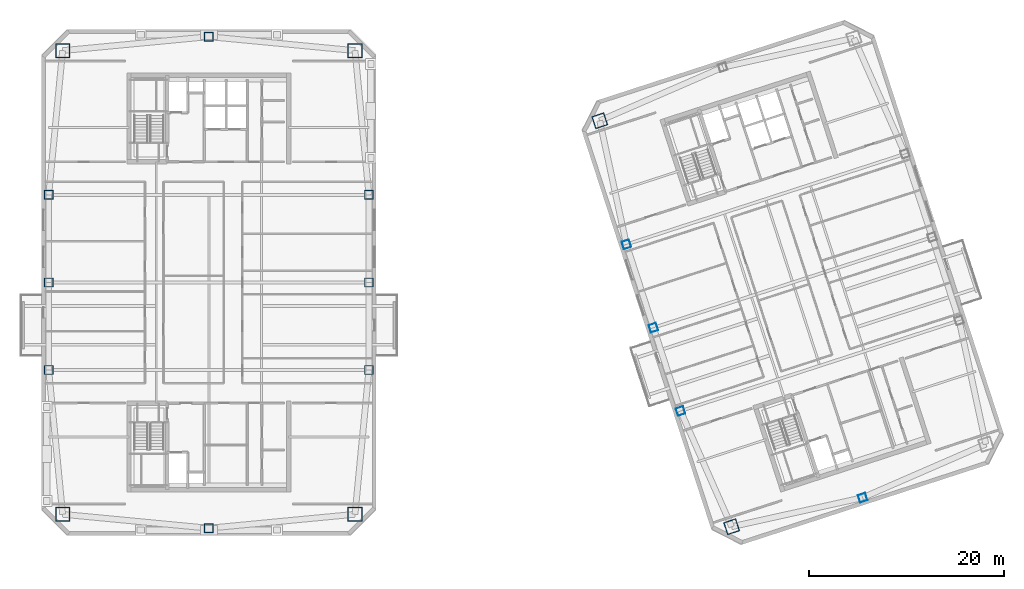
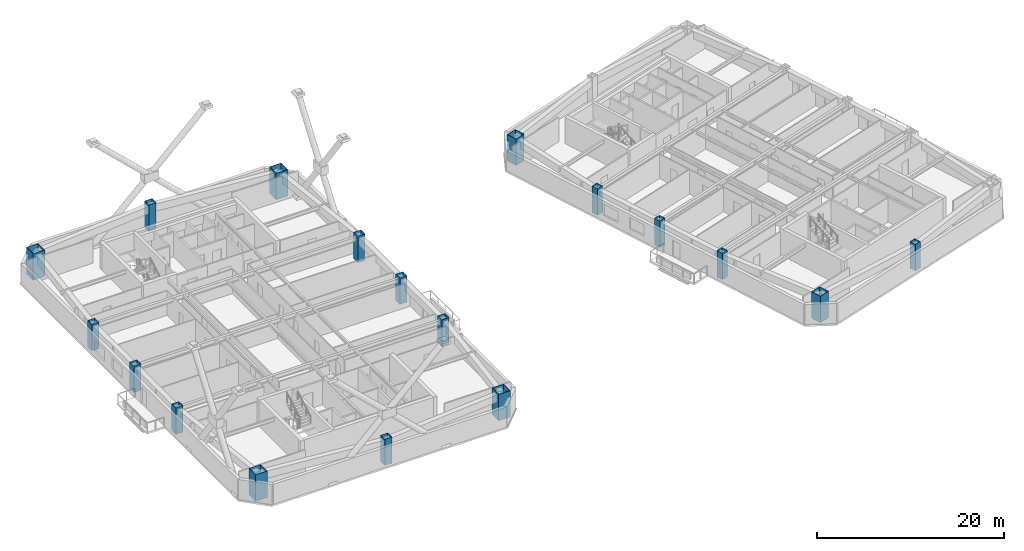
# One storey, part 1 of 16: 18 columns.
"""IFC4 building model written with IfcOpenShell, lengths in metres."""

from ifc_helpers import new_model, si_unit, direction, frame, origin, origin_2d, place, context, subcontext, project, spatial, hollow_rectangle, extrude, material, material_profile, profile_set, type_object, element, save


model = new_model("IFC4")

# Units and contexts
model_context = context("Model", 3, precision=1e-05, world=origin(), true_north=direction((0.0, 1.0)))
body_context = subcontext(model_context, "Body", "Model", "MODEL_VIEW")
ifc_project = project(units=[si_unit("LENGTHUNIT", "METRE"), si_unit("AREAUNIT", "SQUARE_METRE"), si_unit("VOLUMEUNIT", "CUBIC_METRE"), si_unit("PLANEANGLEUNIT", "RADIAN"), si_unit("MASSUNIT", "GRAM", prefix="KILO")], contexts=[model_context])

# Site, building, storey
site_placement = place(None, origin())
site = spatial("IfcSite", under=ifc_project, at=site_placement, CompositionType="ELEMENT")
building_placement = place(site_placement, origin())
building = spatial("IfcBuilding", under=site, at=building_placement, Name="Qiaolan Cultural Towers", CompositionType="ELEMENT")
storey_placement = place(building_placement, frame((0.0, 0.0, 188.60009765625)))
storey = spatial("IfcBuildingStorey", under=building, at=storey_placement, Name="L50", CompositionType="ELEMENT", Elevation=188.60009765625)

# Columns
ifc_material_1 = material(Name="Steel Q390GJB", Category="steel")
ifc_material_profile_1 = material_profile(ifc_material_1, hollow_rectangle(XDim=1.300048828125, YDim=1.300048828125, WallThickness=0.044921875, at=origin_2d()), Name="BOX1300x1300x45")
ifc_profile_set_1 = profile_set([ifc_material_profile_1], Name="Steel Q390GJB")
column_type_1 = type_object("IfcColumnType", Name="COL-BOX1300x1300x45", PredefinedType="COLUMN", material=ifc_profile_set_1)
for number, where, z_axis, x_axis, name in (
    (1, (83.71875, 8.900634765625, 0.0), (0.0, 0.0, 1.0), (0.951056516295, 0.309016994375, 0.0), "L50 T2 Perimeter Column MC-SW"),
    (2, (70.165283203125, 50.61376953125, 0.0), (0.0, 0.0, 1.0), (0.951056516295, 0.309016994375, 0.0), "L50 T2 Perimeter Column MC-NW"),
):
    element("IfcColumn", number, at=place(storey_placement, frame(where, z_axis=z_axis, x_axis=x_axis)), inside=storey, type_object=column_type_1, Name=name, PredefinedType="COLUMN", context=body_context, shape_type="SweptSolid", body=[
        extrude(hollow_rectangle(XDim=1.300048828125, YDim=1.300048828125, WallThickness=0.044921875, at=origin_2d()), origin(), (0.0, 0.0, 1.0), 3.450927734375),
    ])
ifc_material_2 = material(Name="Steel Q420GJB", Category="steel")
ifc_material_profile_2 = material_profile(ifc_material_2, hollow_rectangle(XDim=1.449951171875, YDim=1.449951171875, WallThickness=0.050048828125, at=origin_2d()), Name="BOX1450x1450x50")
ifc_profile_set_2 = profile_set([ifc_material_profile_2], Name="Steel Q420GJB")
column_type_2 = type_object("IfcColumnType", Name="COL-BOX1450x1450x50", PredefinedType="COLUMN", material=ifc_profile_set_2)
for number, where, z_axis, x_axis, name in (
    (3, (14.97998046875, 10.179931640625, 0.0), (0.0, 0.0, 1.0), (1.0, 0.0, 0.0), "L50 T1 Perimeter Column MC-SW"),
    (4, (45.02001953125, 10.179931640625, 0.0), (0.0, 0.0, 1.0), (1.0, 0.0, 0.0), "L50 T1 Perimeter Column MC-SE"),
    (5, (45.02001953125, 57.820068359375, 0.0), (0.0, 0.0, 1.0), (1.0, 0.0, 0.0), "L50 T1 Perimeter Column MC-NE"),
    (6, (14.97998046875, 57.820068359375, 0.0), (0.0, 0.0, 1.0), (1.0, 0.0, 0.0), "L50 T1 Perimeter Column MC-NW"),
):
    element("IfcColumn", number, at=place(storey_placement, frame(where, z_axis=z_axis, x_axis=x_axis)), inside=storey, type_object=column_type_2, Name=name, PredefinedType="COLUMN", context=body_context, shape_type="SweptSolid", body=[
        extrude(hollow_rectangle(XDim=1.449951171875, YDim=1.449951171875, WallThickness=0.050048828125, at=origin_2d()), origin(), (0.0, 0.0, 1.0), 3.450927734375),
    ])
ifc_material_3 = material(Name="Steel Q355B", Category="steel")
ifc_material_profile_3 = material_profile(ifc_material_3, hollow_rectangle(XDim=0.800048828125, YDim=0.800048828125, WallThickness=0.028076171875, at=origin_2d()), Name="BOX800x800x28")
ifc_profile_set_3 = profile_set([ifc_material_profile_3], Name="Steel Q355B")
column_type_3 = type_object("IfcColumnType", Name="COL-BOX800x800x28", PredefinedType="COLUMN", material=ifc_profile_set_3)
for number, where, z_axis, x_axis, name in (
    (7, (78.4677734375, 20.789794921875, 0.0), (0.0, 0.0, 1.0), (0.951056516295, 0.309016994375, 0.0), "L50 T2 Perimeter Column PC-W1"),
    (8, (75.6865234375, 29.349365234375, 0.0), (0.0, 0.0, 1.0), (0.951056516295, 0.309016994375, 0.0), "L50 T2 Perimeter Column PC-W2"),
    (9, (72.905517578125, 37.90869140625, 0.0), (0.0, 0.0, 1.0), (0.951056516295, 0.309016994375, 0.0), "L50 T2 Perimeter Column PC-W3"),
    (10, (97.1845703125, 11.887939453125, 0.0), (0.0, 0.0, 1.0), (0.951056516295, 0.309016994375, 0.0), "L50 T2 Perimeter Column PC-S0"),
):
    element("IfcColumn", number, at=place(storey_placement, frame(where, z_axis=z_axis, x_axis=x_axis)), inside=storey, type_object=column_type_3, Name=name, PredefinedType="COLUMN", context=body_context, shape_type="SweptSolid", body=[
        extrude(hollow_rectangle(XDim=0.800048828125, YDim=0.800048828125, WallThickness=0.028076171875, at=origin_2d()), origin(), (0.0, 0.0, 1.0), 3.450927734375),
    ])
ifc_material_4 = material(Name="Steel Q355B", Category="steel")
ifc_material_profile_4 = material_profile(ifc_material_4, hollow_rectangle(XDim=0.89990234375, YDim=0.89990234375, WallThickness=0.031982421875, at=origin_2d()), Name="BOX900x900x32")
ifc_profile_set_4 = profile_set([ifc_material_profile_4], Name="Steel Q355B")
column_type_4 = type_object("IfcColumnType", Name="COL-BOX900x900x32", PredefinedType="COLUMN", material=ifc_profile_set_4)
for number, where, z_axis, x_axis, name in (
    (11, (13.550048828125, 25.0, 0.0), (0.0, 0.0, 1.0), (1.0, 0.0, 0.0), "L50 T1 Perimeter Column PC-W1"),
    (12, (13.550048828125, 34.0, 0.0), (0.0, 0.0, 1.0), (1.0, 0.0, 0.0), "L50 T1 Perimeter Column PC-W2"),
    (13, (13.550048828125, 43.0, 0.0), (0.0, 0.0, 1.0), (1.0, 0.0, 0.0), "L50 T1 Perimeter Column PC-W3"),
    (14, (46.449951171875, 25.0, 0.0), (0.0, 0.0, 1.0), (1.0, 0.0, 0.0), "L50 T1 Perimeter Column PC-E1"),
    (15, (46.449951171875, 34.0, 0.0), (0.0, 0.0, 1.0), (1.0, 0.0, 0.0), "L50 T1 Perimeter Column PC-E2"),
    (16, (46.449951171875, 43.0, 0.0), (0.0, 0.0, 1.0), (1.0, 0.0, 0.0), "L50 T1 Perimeter Column PC-E3"),
    (17, (30.0, 8.75, 0.0), (0.0, 0.0, 1.0), (1.0, 0.0, 0.0), "L50 T1 Perimeter Column PC-S0"),
    (18, (30.0, 59.25, 0.0), (0.0, 0.0, 1.0), (1.0, 0.0, 0.0), "L50 T1 Perimeter Column PC-N0"),
):
    element("IfcColumn", number, at=place(storey_placement, frame(where, z_axis=z_axis, x_axis=x_axis)), inside=storey, type_object=column_type_4, Name=name, PredefinedType="COLUMN", context=body_context, shape_type="SweptSolid", body=[
        extrude(hollow_rectangle(XDim=0.89990234375, YDim=0.89990234375, WallThickness=0.031982421875, at=origin_2d()), origin(), (0.0, 0.0, 1.0), 3.450927734375),
    ])

save(model, "model.ifc")
